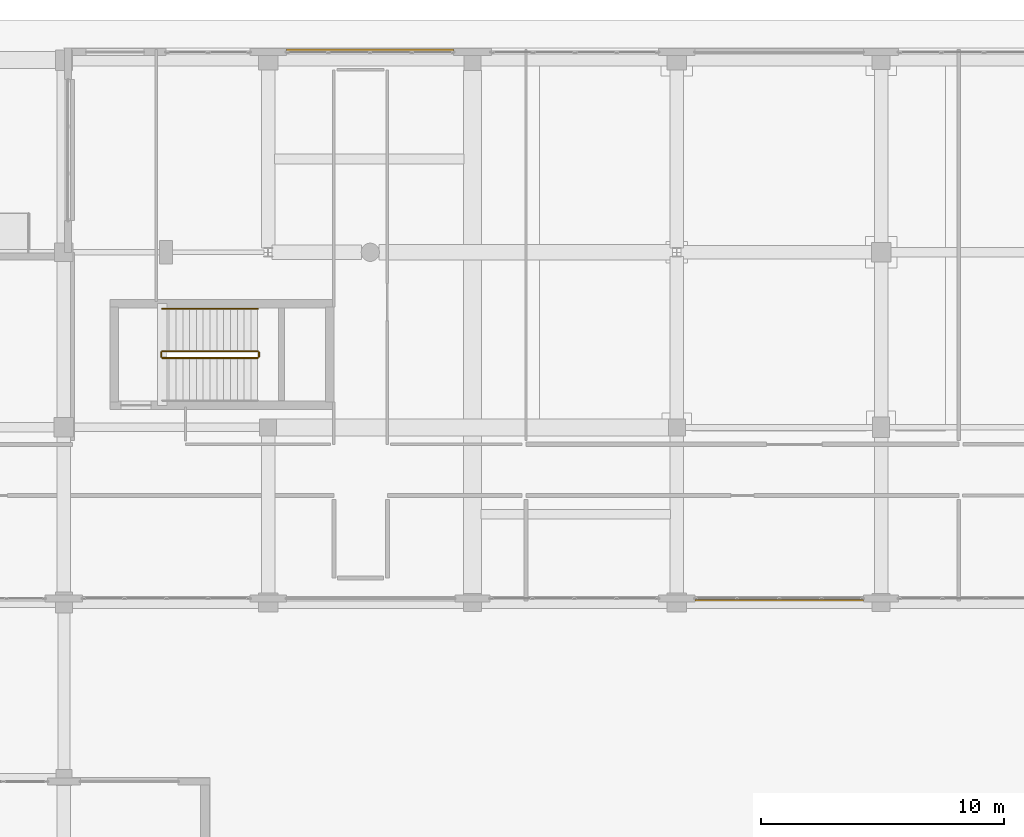
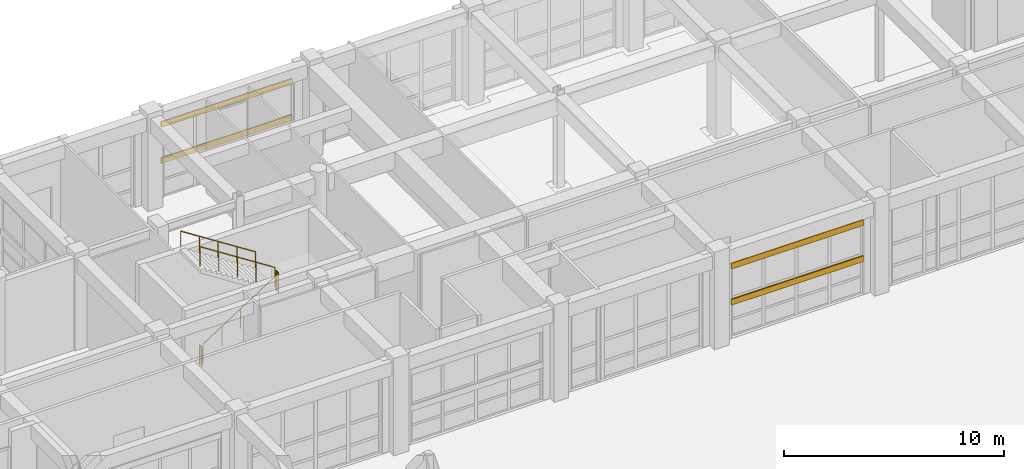
# One storey, part 147 of 148: 5 railings, 4 shading devices.
"""IFC4 building model written with IfcOpenShell, lengths in metres."""

from ifc_helpers import new_model, si_unit, direction, frame, origin, origin_2d, place, context, subcontext, project, spatial, hollow_rectangle, circle, extrude, material, material_profile, profile_set, type_object, element, save


model = new_model("IFC4")

# Units and contexts
model_context = context("Model", 3, precision=1e-05, world=origin(), true_north=direction((0.0, 1.0)))
body_context = subcontext(model_context, "Body", "Model", "MODEL_VIEW")
ifc_project = project(units=[si_unit("LENGTHUNIT", "METRE"), si_unit("AREAUNIT", "SQUARE_METRE"), si_unit("VOLUMEUNIT", "CUBIC_METRE"), si_unit("PLANEANGLEUNIT", "RADIAN"), si_unit("MASSUNIT", "GRAM", prefix="KILO")], contexts=[model_context])

# Site, building, storey
site_placement = place(None, origin())
site = spatial("IfcSite", under=ifc_project, at=site_placement, CompositionType="ELEMENT")
building_placement = place(site_placement, origin())
building = spatial("IfcBuilding", under=site, at=building_placement, Name="Quendrovan Civic Courthouse", CompositionType="ELEMENT")
storey_placement = place(building_placement, origin())
storey = spatial("IfcBuildingStorey", under=building, at=storey_placement, Name="L01", CompositionType="ELEMENT", Elevation=0.0)

# Railings
ifc_material_1 = material(Name="Painted galvanized steel", Category="steel")
railing_type_1 = type_object("IfcRailingType", Name="RL-STR-GUARD1100", PredefinedType="GUARDRAIL", material=ifc_material_1)
railing_1_placement = place(storey_placement, frame((113.25, 97.64990234375, 0.179931640625)))
element("IfcRailing", 1, at=railing_1_placement, inside=storey, type_object=railing_type_1, Name="L01 ST6 stair guard 1", PredefinedType="GUARDRAIL", context=body_context, shape_type="SweptSolid", body=[
    extrude(circle(Radius=0.02392578125, at=origin_2d()), frame((0.0, 0.0, 1.076171875), z_axis=(0.841171666519, 0.0, 0.540768182723), x_axis=(0.0, 1.0, 0.0)), (0.0, 0.0, 1.0), 4.66015625),
    extrude(circle(Radius=0.02099609375, at=origin_2d()), origin(), (0.0, 0.0, 1.0), 1.052001953125),
    extrude(circle(Radius=0.02099609375, at=origin_2d()), frame((0.97998046875, 0.0, 0.6298828125)), (0.0, 0.0, 1.0), 1.052001953125),
    extrude(circle(Radius=0.02099609375, at=origin_2d()), frame((1.9599609375, 0.0, 1.260009765625)), (0.0, 0.0, 1.0), 1.052001953125),
    extrude(circle(Radius=0.02099609375, at=origin_2d()), frame((2.93994140625, 0.0, 1.89013671875)), (0.0, 0.0, 1.0), 1.052001953125),
    extrude(circle(Radius=0.02099609375, at=origin_2d()), frame((3.919921875, 0.0, 2.52001953125)), (0.0, 0.0, 1.0), 1.052001953125),
])
railing_2_placement = place(storey_placement, frame((117.219970703125, 97.699951171875, 2.699951171875)))
element("IfcRailing", 2, at=railing_2_placement, inside=storey, type_object=railing_type_1, Name="L01 ST6 stair guard 2", PredefinedType="GUARDRAIL", context=body_context, shape_type="SweptSolid", body=[
    extrude(circle(Radius=0.02392578125, at=origin_2d()), frame((0.0, 0.0, 1.076171875), z_axis=(0.0, 1.0, 0.0), x_axis=(-1.0, 0.0, 0.0)), (0.0, 0.0, 1.0), 0.179931640625),
    extrude(circle(Radius=0.02099609375, at=origin_2d()), origin(), (0.0, 0.0, 1.0), 1.052001953125),
    extrude(circle(Radius=0.02099609375, at=origin_2d()), frame((0.0, 0.179931640625, 0.0)), (0.0, 0.0, 1.0), 1.052001953125),
])
railing_3_placement = place(storey_placement, frame((117.169921875, 97.929931640625, 2.8798828125)))
element("IfcRailing", 3, at=railing_3_placement, inside=storey, type_object=railing_type_1, Name="L01 ST6 stair guard 3", PredefinedType="GUARDRAIL", context=body_context, shape_type="SweptSolid", body=[
    extrude(circle(Radius=0.02392578125, at=origin_2d()), frame((0.0, 0.0, 1.076171875), z_axis=(-0.841171666519, 0.0, 0.540768182723), x_axis=(0.0, -1.0, 0.0)), (0.0, 0.0, 1.0), 4.66015625),
    extrude(circle(Radius=0.02099609375, at=origin_2d()), origin(), (0.0, 0.0, 1.0), 1.052001953125),
    extrude(circle(Radius=0.02099609375, at=origin_2d()), frame((-0.97998046875, 0.0, 0.6298828125)), (0.0, 0.0, 1.0), 1.052001953125),
    extrude(circle(Radius=0.02099609375, at=origin_2d()), frame((-1.9599609375, 0.0, 1.260009765625)), (0.0, 0.0, 1.0), 1.052001953125),
    extrude(circle(Radius=0.02099609375, at=origin_2d()), frame((-2.93994140625, 0.0, 1.89013671875)), (0.0, 0.0, 1.0), 1.052001953125),
    extrude(circle(Radius=0.02099609375, at=origin_2d()), frame((-3.919921875, 0.0, 2.52001953125)), (0.0, 0.0, 1.0), 1.052001953125),
])
railing_4_placement = place(storey_placement, frame((113.199951171875, 97.699951171875, 0.0)))
element("IfcRailing", 4, at=railing_4_placement, inside=storey, type_object=railing_type_1, Name="L01 ST6 stair guard 4", PredefinedType="GUARDRAIL", context=body_context, shape_type="SweptSolid", body=[
    extrude(circle(Radius=0.02392578125, at=origin_2d()), frame((0.0, 0.0, 1.076171875), z_axis=(0.0, 1.0, 0.0), x_axis=(-1.0, 0.0, 0.0)), (0.0, 0.0, 1.0), 0.179931640625),
    extrude(circle(Radius=0.02099609375, at=origin_2d()), origin(), (0.0, 0.0, 1.0), 1.052001953125),
    extrude(circle(Radius=0.02099609375, at=origin_2d()), frame((0.0, 0.179931640625, 0.0)), (0.0, 0.0, 1.0), 1.052001953125),
])
ifc_material_2 = material(Name="Bronze anodised aluminium", Category="aluminium")
railing_type_2 = type_object("IfcRailingType", Name="RL-STR-HAND900", PredefinedType="HANDRAIL", material=ifc_material_2)
railing_5_placement = place(storey_placement, frame((117.169921875, 99.679931640625, 2.8798828125)))
element("IfcRailing", 5, at=railing_5_placement, inside=storey, type_object=railing_type_2, Name="L01 ST6 stair handrail 2", PredefinedType="HANDRAIL", context=body_context, shape_type="SweptSolid", body=[
    extrude(circle(Radius=0.02392578125, at=origin_2d()), frame((0.0, 0.0, 0.8759765625), z_axis=(-0.841171666519, 0.0, 0.540768182723), x_axis=(0.0, -1.0, 0.0)), (0.0, 0.0, 1.0), 4.66015625),
    extrude(circle(Radius=0.02099609375, at=origin_2d()), origin(), (0.0, 0.0, 1.0), 0.851806640625),
    extrude(circle(Radius=0.02099609375, at=origin_2d()), frame((-0.97998046875, 0.0, 0.6298828125)), (0.0, 0.0, 1.0), 0.851806640625),
    extrude(circle(Radius=0.02099609375, at=origin_2d()), frame((-1.9599609375, 0.0, 1.260009765625)), (0.0, 0.0, 1.0), 0.851806640625),
    extrude(circle(Radius=0.02099609375, at=origin_2d()), frame((-2.93994140625, 0.0, 1.89013671875)), (0.0, 0.0, 1.0), 0.851806640625),
    extrude(circle(Radius=0.02099609375, at=origin_2d()), frame((-3.919921875, 0.0, 2.52001953125)), (0.0, 0.0, 1.0), 0.851806640625),
])

# Shading devices
ifc_material_profile = material_profile(ifc_material_2, hollow_rectangle(XDim=0.06494140625, YDim=0.320068359375, WallThickness=0.0048828125, at=origin_2d()), Name="AL-LOUVRE-65x320")
ifc_profile_set = profile_set([ifc_material_profile], Name="Bronze anodised aluminium")
shading_device_type = type_object("IfcShadingDeviceType", Name="SHD-STORM-LOUVRE", PredefinedType="JALOUSIE", material=ifc_profile_set)
for number, where, z_axis, x_axis, name in (
    (6, (118.35009765625, 110.31494140625, 1.949951171875), (1.0, 0.0, 0.0), (0.0, 1.0, 0.0), "L01 Bronze Hurricane Storm Louvre SLV-037"),
    (7, (118.35009765625, 110.31494140625, 3.949951171875), (1.0, 0.0, 0.0), (0.0, 1.0, 0.0), "L01 Bronze Hurricane Storm Louvre SLV-038"),
):
    element("IfcShadingDevice", number, at=place(storey_placement, frame(where, z_axis=z_axis, x_axis=x_axis)), inside=storey, type_object=shading_device_type, Name=name, PredefinedType="JALOUSIE", context=body_context, shape_type="SweptSolid", body=[
        extrude(hollow_rectangle(XDim=0.06494140625, YDim=0.320068359375, WallThickness=0.0048828125, at=origin_2d()), origin(), (0.0, 0.0, 1.0), 6.875),
    ])
for number, where, z_axis, x_axis, name in (
    (8, (142.074951171875, 87.68505859375, 1.949951171875), (-1.0, 0.0, 0.0), (0.0, -1.0, 0.0), "L01 Bronze Hurricane Storm Louvre SLV-045"),
    (9, (142.074951171875, 87.68505859375, 3.949951171875), (-1.0, 0.0, 0.0), (0.0, -1.0, 0.0), "L01 Bronze Hurricane Storm Louvre SLV-046"),
):
    element("IfcShadingDevice", number, at=place(storey_placement, frame(where, z_axis=z_axis, x_axis=x_axis)), inside=storey, type_object=shading_device_type, Name=name, PredefinedType="JALOUSIE", context=body_context, shape_type="SweptSolid", body=[
        extrude(hollow_rectangle(XDim=0.06494140625, YDim=0.320068359375, WallThickness=0.0048828125, at=origin_2d()), origin(), (0.0, 0.0, 1.0), 6.925048828125),
    ])

save(model, "model.ifc")
